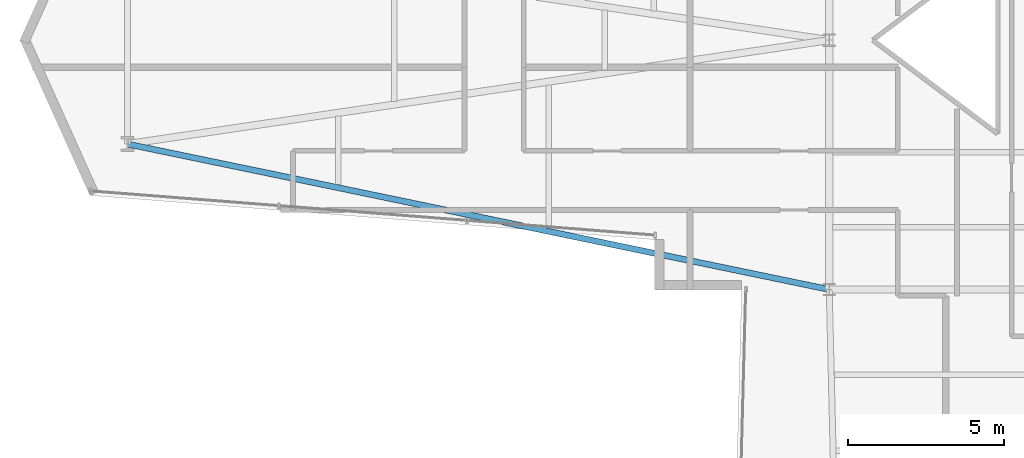
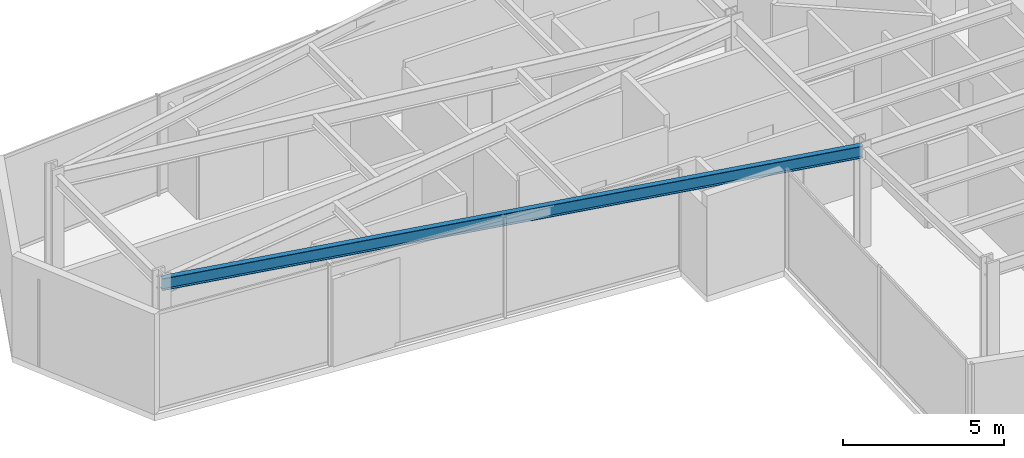
# One storey, part 5 of 29: 1 beam.
"""IFC4 building model written with IfcOpenShell, lengths in metres."""

from ifc_helpers import new_model, si_unit, direction, frame, origin, origin_2d, place, context, subcontext, project, spatial, i_section, extrude, material, material_profile, profile_set, type_object, element, save


model = new_model("IFC4")

# Units and contexts
model_context = context("Model", 3, precision=1e-05, world=origin(), true_north=direction((0.0, 1.0)))
body_context = subcontext(model_context, "Body", "Model", "MODEL_VIEW")
ifc_project = project(units=[si_unit("LENGTHUNIT", "METRE"), si_unit("AREAUNIT", "SQUARE_METRE"), si_unit("VOLUMEUNIT", "CUBIC_METRE"), si_unit("PLANEANGLEUNIT", "RADIAN"), si_unit("MASSUNIT", "GRAM", prefix="KILO")], contexts=[model_context])

# Site, building, storey
site_placement = place(None, origin())
site = spatial("IfcSite", under=ifc_project, at=site_placement, CompositionType="ELEMENT")
building_placement = place(site_placement, origin())
building = spatial("IfcBuilding", under=site, at=building_placement, Name="Veymaron Broadcast Tower", CompositionType="ELEMENT")
storey_placement = place(building_placement, frame((0.0, 0.0, 62.10009765625)))
storey = spatial("IfcBuildingStorey", under=building, at=storey_placement, Name="L13", CompositionType="ELEMENT", Elevation=62.10009765625)

# Beam
ifc_material = material(Name="Structural steel ASTM A992 Gr 50", Category="steel")
ifc_material_profile = material_profile(ifc_material, i_section(OverallWidth=0.19091796875, OverallDepth=0.4599609375, WebThickness=0.010009765625, FlangeThickness=0.01611328125, at=origin_2d()), Name="W460X82")
ifc_profile_set = profile_set([ifc_material_profile], Name="Structural steel ASTM A992 Gr 50")
beam_type = type_object("IfcBeamType", Name="BM-SP1", PredefinedType="SPANDREL", material=ifc_profile_set)
beam_placement = place(storey_placement, frame((8.697021484375, 20.6650390625, 3.579833984375), z_axis=(0.979180395187, -0.202992003984, 0.0), x_axis=(0.202992003984, 0.979180395187, 0.0)))
element("IfcBeam", 1, at=beam_placement, inside=storey, type_object=beam_type, Name="L13 primary structural floor girder", PredefinedType="SPANDREL", context=body_context, shape_type="SweptSolid", body=[
    extrude(i_section(OverallWidth=0.19091796875, OverallDepth=0.4599609375, WebThickness=0.010009765625, FlangeThickness=0.01611328125, at=origin_2d()), origin(), (0.0, 0.0, 1.0), 22.9814453125),
])

save(model, "model.ifc")
